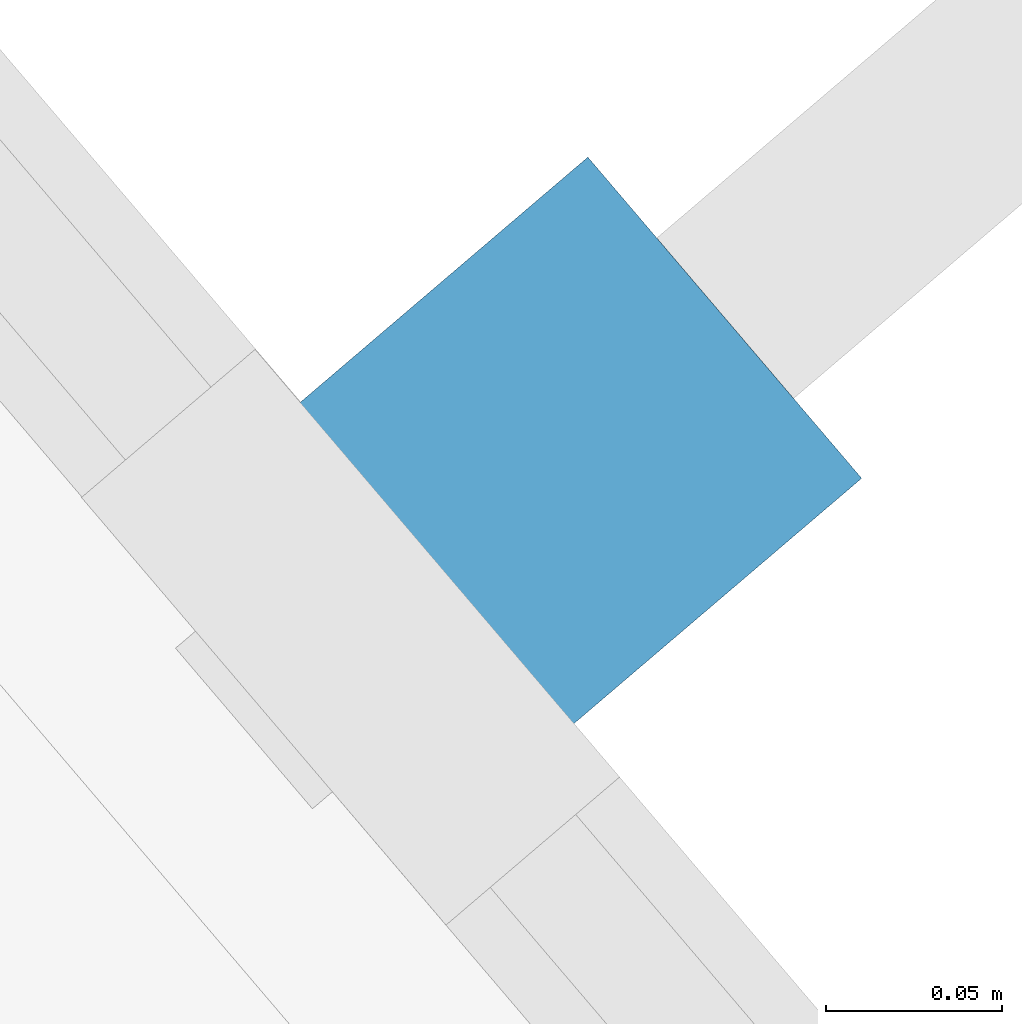
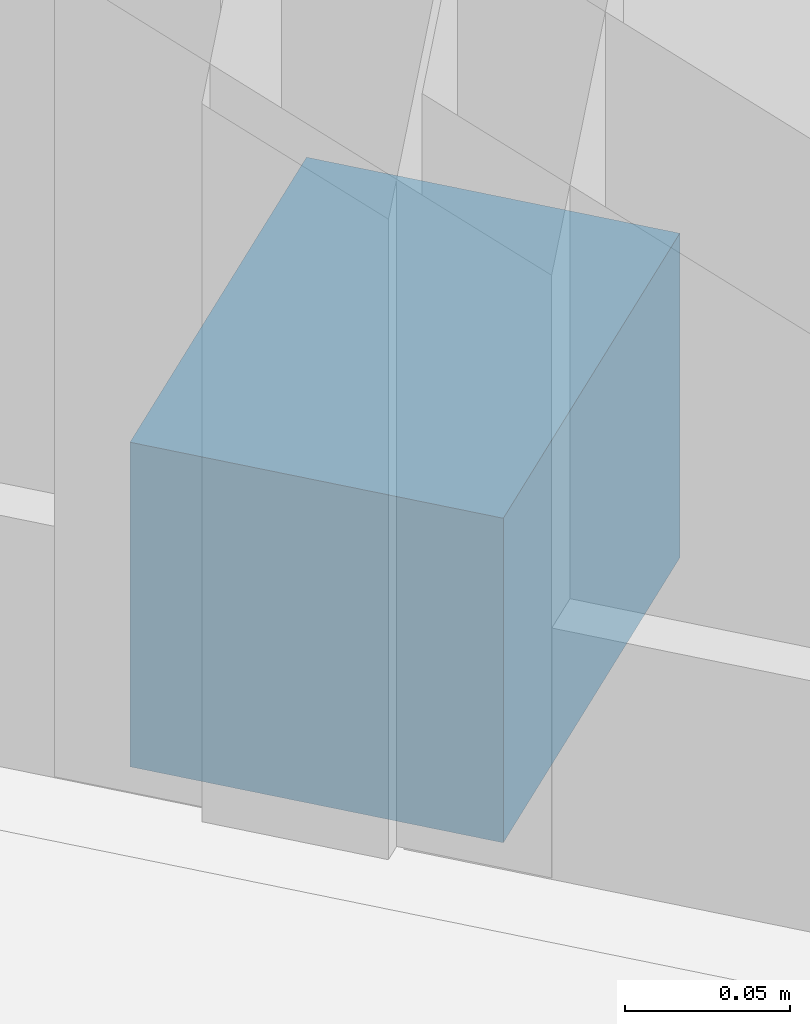
# One storey, part 59 of 92: 1 discrete accessory.
"""IFC4 building model written with IfcOpenShell, lengths in metres."""

from ifc_helpers import new_model, si_unit, direction, frame, origin, origin_2d, place, context, subcontext, project, spatial, rectangle, extrude, material, type_object, element, save


model = new_model("IFC4")

# Units and contexts
model_context = context("Model", 3, precision=1e-05, world=origin(), true_north=direction((0.0, 1.0)))
body_context = subcontext(model_context, "Body", "Model", "MODEL_VIEW")
ifc_project = project(units=[si_unit("LENGTHUNIT", "METRE"), si_unit("AREAUNIT", "SQUARE_METRE"), si_unit("VOLUMEUNIT", "CUBIC_METRE"), si_unit("PLANEANGLEUNIT", "RADIAN"), si_unit("MASSUNIT", "GRAM", prefix="KILO")], contexts=[model_context])

# Site, building, storey
site_placement = place(None, origin())
site = spatial("IfcSite", under=ifc_project, at=site_placement, CompositionType="ELEMENT")
building_placement = place(site_placement, origin())
building = spatial("IfcBuilding", under=site, at=building_placement, Name="Namkhue Oval Health Centre", CompositionType="ELEMENT")
storey_placement = place(building_placement, frame((0.0, 0.0, 4.800048828125)))
storey = spatial("IfcBuildingStorey", under=building, at=storey_placement, Name="L01", CompositionType="ELEMENT", Elevation=4.800048828125)

# Discrete accessory
ifc_material = material(Name="Structural steel S355JR (TCVN CCT38)", Category="steel")
discrete_accessory_type = type_object("IfcDiscreteAccessoryType", Name="FACADE SHADING BRACKET", PredefinedType="BRACKET", material=ifc_material)
discrete_accessory_placement = place(storey_placement, frame((70.369140625, 47.760498046875, 0.0), z_axis=(0.0, 0.0, 1.0), x_axis=(0.760972426325, 0.648784221735, 0.0)))
element("IfcDiscreteAccessory", 1, at=discrete_accessory_placement, inside=storey, type_object=discrete_accessory_type, Name="Solar Fin Bracket 28", PredefinedType="BRACKET", context=body_context, shape_type="SweptSolid", body=[
    extrude(rectangle(XDim=0.159912109375, YDim=0.1201171875, at=origin_2d()), origin(), (0.0, 0.0, 1.0), 0.1201171875),
])

save(model, "model.ifc")
